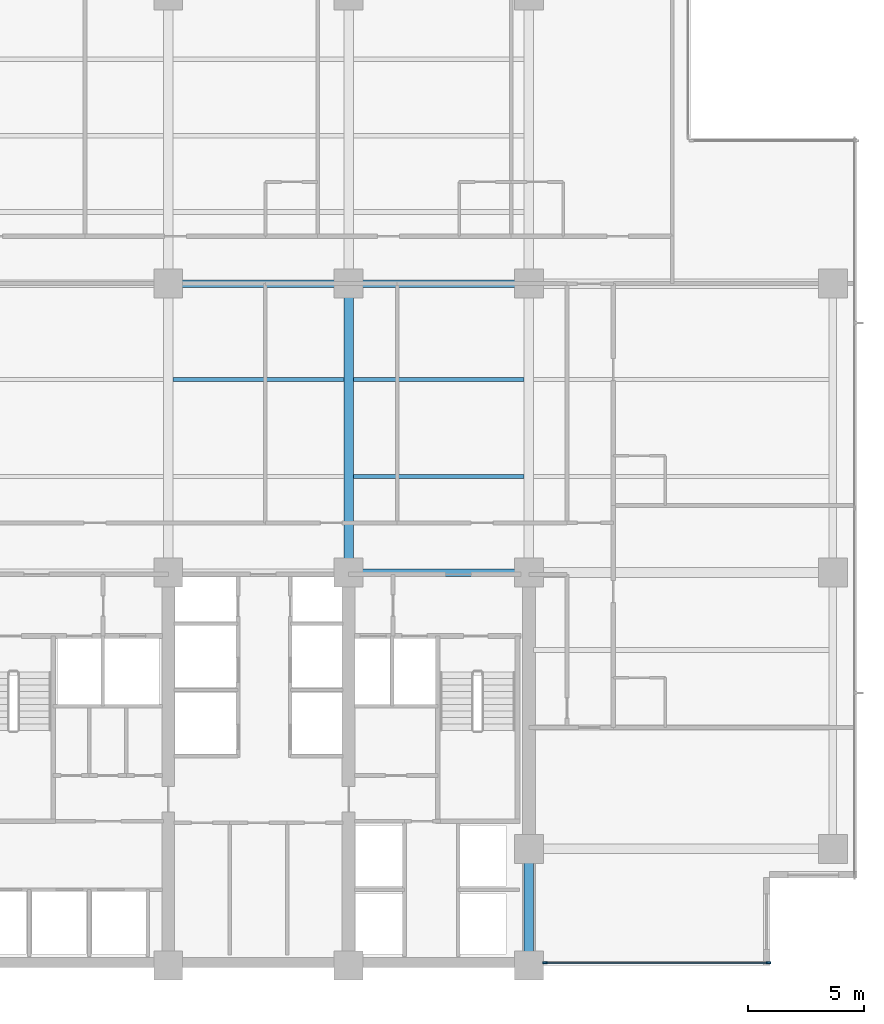
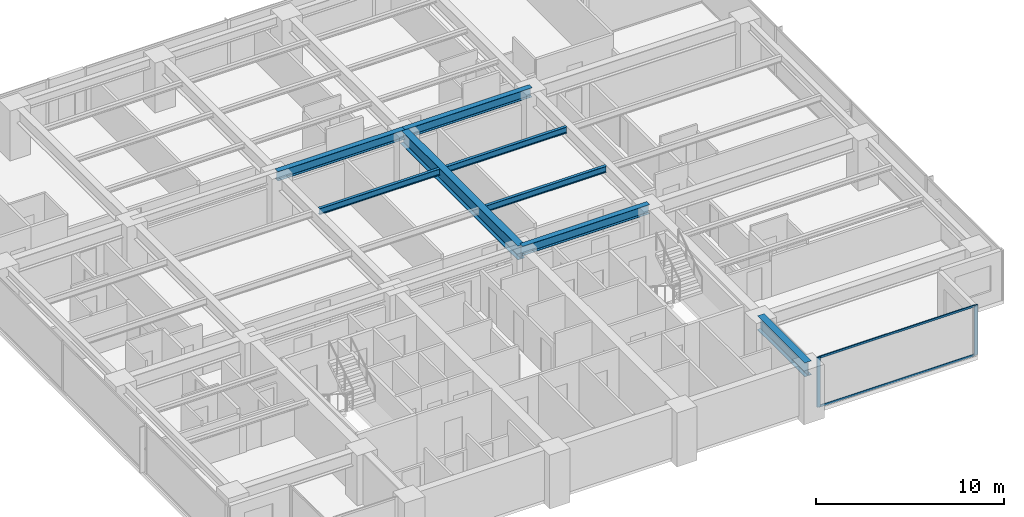
# One storey, part 3 of 18: 8 beams, 4 members, 1 element without a shape of its own.
"""IFC4 building model written with IfcOpenShell, lengths in metres."""

from ifc_helpers import new_model, si_unit, direction, frame, origin, origin_2d, place, context, subcontext, project, spatial, rectangle, i_section, extrude, material, layer, layer_set, material_profile, profile_set, type_object, element, aggregate, save


model = new_model("IFC4")

# Units and contexts
model_context = context("Model", 3, precision=1e-05, world=origin(), true_north=direction((0.0, 1.0)))
body_context = subcontext(model_context, "Body", "Model", "MODEL_VIEW")
ifc_project = project(units=[si_unit("LENGTHUNIT", "METRE"), si_unit("AREAUNIT", "SQUARE_METRE"), si_unit("VOLUMEUNIT", "CUBIC_METRE"), si_unit("PLANEANGLEUNIT", "RADIAN"), si_unit("MASSUNIT", "GRAM", prefix="KILO")], contexts=[model_context])

# Site, building, storey
site_placement = place(None, origin())
site = spatial("IfcSite", under=ifc_project, at=site_placement, CompositionType="ELEMENT")
building_placement = place(site_placement, origin())
building = spatial("IfcBuilding", under=site, at=building_placement, Name="Qalmaran Belvedere Hotel", CompositionType="ELEMENT")
storey_placement = place(building_placement, frame((0.0, 0.0, 95.199951171875)))
storey = spatial("IfcBuildingStorey", under=building, at=storey_placement, Name="L23", CompositionType="ELEMENT", Elevation=95.199951171875)

# Beams
ifc_material_1 = material(Name="Steel S355JR", Category="steel")
ifc_material_profile_1 = material_profile(ifc_material_1, i_section(OverallWidth=0.41796875, OverallDepth=0.912109375, WebThickness=0.019287109375, FlangeThickness=0.031982421875, FilletRadius=0.02392578125, at=origin_2d()), Name="W920X342")
ifc_profile_set_1 = profile_set([ifc_material_profile_1], Name="Steel S355JR")
beam_type_1 = type_object("IfcBeamType", Name="BM-PG2-W920X342", PredefinedType="USERDEFINED", material=ifc_profile_set_1)
beam_1_placement = place(storey_placement, frame((37.0, 20.5, 2.783935546875), z_axis=(0.0, 1.0, 0.0), x_axis=(-1.0, 0.0, 0.0)))
element("IfcBeam", 1, at=beam_1_placement, inside=storey, type_object=beam_type_1, Name="L23 Mid-Plate N-S Girder 18", ObjectType="GIRDER", PredefinedType="USERDEFINED", context=body_context, shape_type="SweptSolid", body=[
    extrude(i_section(OverallWidth=0.41796875, OverallDepth=0.912109375, WebThickness=0.019287109375, FlangeThickness=0.031982421875, FilletRadius=0.02392578125, at=origin_2d()), origin(), (0.0, 0.0, 1.0), 12.5),
])
beam_2_placement = place(storey_placement, frame((44.800048828125, 3.5, 2.783935546875), z_axis=(0.0, 1.0, 0.0), x_axis=(-1.0, 0.0, 0.0)))
element("IfcBeam", 2, at=beam_2_placement, inside=storey, type_object=beam_type_1, Name="L23 East Core Edge Girder A", ObjectType="GIRDER", PredefinedType="USERDEFINED", context=body_context, shape_type="SweptSolid", body=[
    extrude(i_section(OverallWidth=0.41796875, OverallDepth=0.912109375, WebThickness=0.019287109375, FlangeThickness=0.031982421875, FilletRadius=0.02392578125, at=origin_2d()), origin(), (0.0, 0.0, 1.0), 5.050048828125),
])
ifc_material_profile_2 = material_profile(ifc_material_1, i_section(OverallWidth=0.177978515625, OverallDepth=0.406982421875, WebThickness=0.0078125, FlangeThickness=0.0126953125, FilletRadius=0.014892578125, at=origin_2d()), Name="W410X60")
ifc_profile_set_2 = profile_set([ifc_material_profile_2], Name="Steel S355JR")
beam_type_2 = type_object("IfcBeamType", Name="BM-SB2-W410X60", PredefinedType="BEAM", material=ifc_profile_set_2)
for number, where, z_axis, x_axis, name in (
    (3, (37.20703125, 24.64990234375, 3.03662109375), (1.0, 0.0, 0.0), (0.0, 1.0, 0.0), "L23 Secondary Floor Beam 031"),
    (4, (29.406982421875, 28.85009765625, 3.03662109375), (1.0, 0.0, 0.0), (0.0, 1.0, 0.0), "L23 Secondary Floor Beam 035"),
    (5, (37.20703125, 28.85009765625, 3.03662109375), (1.0, 0.0, 0.0), (0.0, 1.0, 0.0), "L23 Secondary Floor Beam 036"),
):
    element("IfcBeam", number, at=place(storey_placement, frame(where, z_axis=z_axis, x_axis=x_axis)), inside=storey, type_object=beam_type_2, Name=name, PredefinedType="BEAM", context=body_context, shape_type="SweptSolid", body=[
        extrude(i_section(OverallWidth=0.177978515625, OverallDepth=0.406982421875, WebThickness=0.0078125, FlangeThickness=0.0126953125, FilletRadius=0.014892578125, at=origin_2d()), origin(), (0.0, 0.0, 1.0), 7.385986328125),
    ])
ifc_material_profile_3 = material_profile(ifc_material_1, i_section(OverallWidth=0.323974609375, OverallDepth=0.611083984375, WebThickness=0.0126953125, FlangeThickness=0.01904296875, FilletRadius=0.02001953125, at=origin_2d()), Name="W610X155")
ifc_profile_set_3 = profile_set([ifc_material_profile_3], Name="Steel S355JR")
beam_type_3 = type_object("IfcBeamType", Name="BM-Z2-W610X155", PredefinedType="USERDEFINED", material=ifc_profile_set_3)
for number, where, z_axis, x_axis, name in (
    (6, (37.0, 20.5, 2.9345703125), (1.0, 0.0, 0.0), (0.0, 1.0, 0.0), "L23 Interior E-W Girder 10"),
    (7, (29.199951171875, 33.0, 2.9345703125), (1.0, 0.0, 0.0), (0.0, 1.0, 0.0), "L23 Interior E-W Girder 12"),
    (8, (37.0, 33.0, 2.9345703125), (1.0, 0.0, 0.0), (0.0, 1.0, 0.0), "L23 Interior E-W Girder 13"),
):
    element("IfcBeam", number, at=place(storey_placement, frame(where, z_axis=z_axis, x_axis=x_axis)), inside=storey, type_object=beam_type_3, Name=name, ObjectType="GIRDER", PredefinedType="USERDEFINED", context=body_context, shape_type="SweptSolid", body=[
        extrude(i_section(OverallWidth=0.323974609375, OverallDepth=0.611083984375, WebThickness=0.0126953125, FlangeThickness=0.01904296875, FilletRadius=0.02001953125, at=origin_2d()), origin(), (0.0, 0.0, 1.0), 7.800048828125),
    ])

# Curtain wall, members
ifc_material_2 = material(Name="Anodised Bronze Aluminium", Category="aluminium")
ifc_layer = layer(ifc_material_2, 0.199951171875, Name="Anodised Bronze Aluminium")
ifc_layer_set = layer_set([ifc_layer], Name="Anodised Bronze Aluminium")
curtain_wall_type = type_object("IfcCurtainWallType", Name="CW3-TOWER-LOWMID", PredefinedType="NOTDEFINED", material=ifc_layer_set)
curtain_wall_placement = place(storey_placement, origin())
curtain_wall = element("IfcCurtainWall", 9, at=curtain_wall_placement, inside=storey, type_object=curtain_wall_type, Name="L23 Curtain Wall CW3", PredefinedType="NOTDEFINED")
ifc_material_profile_4 = material_profile(ifc_material_2, rectangle(XDim=0.070068359375, YDim=0.18994140625, at=origin_2d()), Name="CWM70X190")
ifc_profile_set_4 = profile_set([ifc_material_profile_4], Name="Anodised Bronze Aluminium")
member_type_1 = type_object("IfcMemberType", Name="CWM-70X190", PredefinedType="MULLION", material=ifc_profile_set_4)
member_1_placement = place(storey_placement, frame((45.5, 3.6201171875, 0.0), z_axis=(0.0, 0.0, 1.0), x_axis=(0.0, 1.0, 0.0)))
member_1 = element("IfcMember", 10, at=member_1_placement, type_object=member_type_1, Name="CW3 mullion 1", PredefinedType="MULLION", context=body_context, shape_type="SweptSolid", body=[
    extrude(rectangle(XDim=0.070068359375, YDim=0.18994140625, at=origin_2d()), origin(), (0.0, 0.0, 1.0), 3.239990234375),
])
member_2_placement = place(storey_placement, frame((55.1650390625, 3.6201171875, 0.0), z_axis=(0.0, 0.0, 1.0), x_axis=(0.0, 1.0, 0.0)))
member_2 = element("IfcMember", 11, at=member_2_placement, type_object=member_type_1, Name="CW3 mullion 2", PredefinedType="MULLION", context=body_context, shape_type="SweptSolid", body=[
    extrude(rectangle(XDim=0.070068359375, YDim=0.18994140625, at=origin_2d()), origin(), (0.0, 0.0, 1.0), 3.239990234375),
])
ifc_material_profile_5 = material_profile(ifc_material_2, rectangle(XDim=0.06494140625, YDim=0.1298828125, at=origin_2d()), Name="CWT65X130")
ifc_profile_set_5 = profile_set([ifc_material_profile_5], Name="Anodised Bronze Aluminium")
member_type_2 = type_object("IfcMemberType", Name="CWT-65X130", PredefinedType="USERDEFINED", material=ifc_profile_set_5)
member_3_placement = place(storey_placement, frame((45.534912109375, 3.6201171875, 0.032470703125), z_axis=(1.0, 0.0, 0.0), x_axis=(0.0, 1.0, 0.0)))
member_3 = element("IfcMember", 12, at=member_3_placement, type_object=member_type_2, Name="CW3 transom 1.1", ObjectType="TRANSOM", PredefinedType="USERDEFINED", context=body_context, shape_type="SweptSolid", body=[
    extrude(rectangle(XDim=0.06494140625, YDim=0.1298828125, at=origin_2d()), origin(), (0.0, 0.0, 1.0), 9.594970703125),
])
member_4_placement = place(storey_placement, frame((45.534912109375, 3.6201171875, 3.20751953125), z_axis=(1.0, 0.0, 0.0), x_axis=(0.0, 1.0, 0.0)))
member_4 = element("IfcMember", 13, at=member_4_placement, type_object=member_type_2, Name="CW3 transom 1.2", ObjectType="TRANSOM", PredefinedType="USERDEFINED", context=body_context, shape_type="SweptSolid", body=[
    extrude(rectangle(XDim=0.06494140625, YDim=0.1298828125, at=origin_2d()), origin(), (0.0, 0.0, 1.0), 9.594970703125),
])
aggregate(curtain_wall, [member_1, member_2, member_3, member_4])

save(model, "model.ifc")
